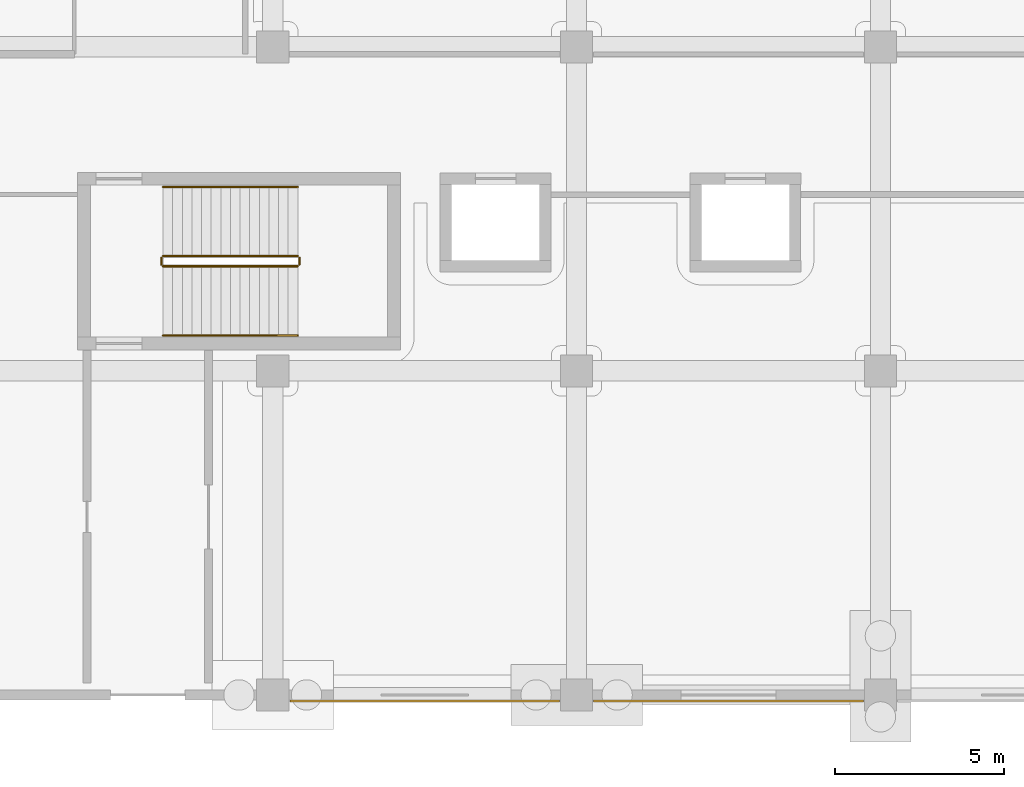
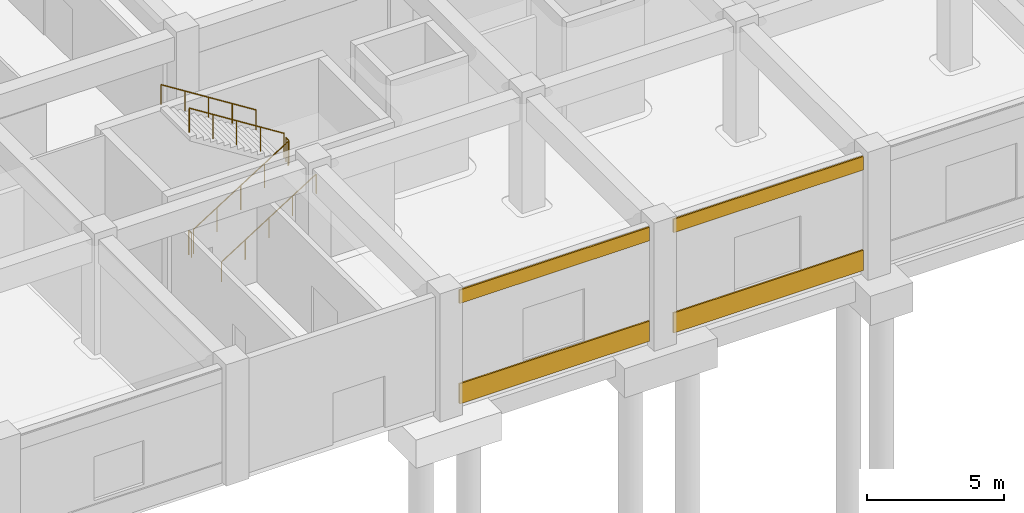
# One storey, part 57 of 74: 6 railings, 4 coverings.
"""IFC4 building model written with IfcOpenShell, lengths in metres."""

from ifc_helpers import new_model, si_unit, direction, frame, origin, origin_2d, place, context, subcontext, project, spatial, rectangle, circle, extrude, material, layer, layer_set, type_object, element, save


model = new_model("IFC4")

# Units and contexts
model_context = context("Model", 3, precision=1e-05, world=origin(), true_north=direction((0.0, 1.0)))
body_context = subcontext(model_context, "Body", "Model", "MODEL_VIEW")
ifc_project = project(units=[si_unit("LENGTHUNIT", "METRE"), si_unit("AREAUNIT", "SQUARE_METRE"), si_unit("VOLUMEUNIT", "CUBIC_METRE"), si_unit("PLANEANGLEUNIT", "RADIAN"), si_unit("MASSUNIT", "GRAM", prefix="KILO")], contexts=[model_context])

# Site, building, storey
site_placement = place(None, origin())
site = spatial("IfcSite", under=ifc_project, at=site_placement, CompositionType="ELEMENT")
building_placement = place(site_placement, origin())
building = spatial("IfcBuilding", under=site, at=building_placement, Name="Cendralis Terraced Arcade", CompositionType="ELEMENT")
storey_placement = place(building_placement, origin())
storey = spatial("IfcBuildingStorey", under=building, at=storey_placement, Name="L00", CompositionType="ELEMENT", Elevation=0.0)

# Coverings
ifc_material_1 = material(Name="Precast concrete f'c 40 MPa", Category="concrete")
ifc_layer = layer(ifc_material_1, 0.06494140625, Name="COV-CLAD-GRC-65")
ifc_layer_set = layer_set([ifc_layer], Name="Precast concrete f'c 40 MPa")
covering_type = type_object("IfcCoveringType", Name="COV-CLAD-GRC-65", PredefinedType="CLADDING", material=ifc_layer_set)
covering_1_placement = place(storey_placement, frame((89.699951171875, -0.175048828125, 0.0), z_axis=(0.0, 0.0, 1.0), x_axis=(-1.0, 0.0, 0.0)))
element("IfcCovering", 1, at=covering_1_placement, inside=storey, type_object=covering_type, Name="Banded Precast Stone Spandrel Cladding L00-005", PredefinedType="CLADDING", context=body_context, shape_type="SweptSolid", body=[
    extrude(rectangle(XDim=7.993896484375, YDim=0.06494140625, at=origin_2d()), origin(), (0.0, 0.0, 1.0), 0.89990234375),
])
covering_2_placement = place(storey_placement, frame((89.699951171875, -0.175048828125, 4.469970703125), z_axis=(0.0, 0.0, 1.0), x_axis=(-1.0, 0.0, 0.0)))
element("IfcCovering", 2, at=covering_2_placement, inside=storey, type_object=covering_type, Name="Banded Precast Stone Lintel Cladding L00-006", PredefinedType="CLADDING", context=body_context, shape_type="SweptSolid", body=[
    extrude(rectangle(XDim=7.993896484375, YDim=0.06494140625, at=origin_2d()), origin(), (0.0, 0.0, 1.0), 0.60009765625),
])
covering_3_placement = place(storey_placement, frame((80.699951171875, -0.175048828125, 0.0), z_axis=(0.0, 0.0, 1.0), x_axis=(-1.0, 0.0, 0.0)))
element("IfcCovering", 3, at=covering_3_placement, inside=storey, type_object=covering_type, Name="Banded Precast Stone Spandrel Cladding L00-007", PredefinedType="CLADDING", context=body_context, shape_type="SweptSolid", body=[
    extrude(rectangle(XDim=7.993896484375, YDim=0.06494140625, at=origin_2d()), origin(), (0.0, 0.0, 1.0), 0.89990234375),
])
covering_4_placement = place(storey_placement, frame((80.699951171875, -0.175048828125, 4.469970703125), z_axis=(0.0, 0.0, 1.0), x_axis=(-1.0, 0.0, 0.0)))
element("IfcCovering", 4, at=covering_4_placement, inside=storey, type_object=covering_type, Name="Banded Precast Stone Lintel Cladding L00-008", PredefinedType="CLADDING", context=body_context, shape_type="SweptSolid", body=[
    extrude(rectangle(XDim=7.993896484375, YDim=0.06494140625, at=origin_2d()), origin(), (0.0, 0.0, 1.0), 0.60009765625),
])

# Railings
ifc_material_2 = material(Name="Brushed stainless steel AISI 316", Category="steel")
railing_type_1 = type_object("IfcRailingType", Name="RL-STAIR-GUARD-1100", PredefinedType="GUARDRAIL", material=ifc_material_2)
railing_1_placement = place(storey_placement, frame((72.949951171875, 12.699951171875, 0.179931640625)))
element("IfcRailing", 5, at=railing_1_placement, inside=storey, type_object=railing_type_1, Name="L00 ST-08 stair guard 1", PredefinedType="GUARDRAIL", context=body_context, shape_type="SweptSolid", body=[
    extrude(circle(Radius=0.02392578125, at=origin_2d()), frame((0.0, 0.0, 1.076171875), z_axis=(0.845486444383, 0.0, 0.533996884227), x_axis=(0.0, 1.0, 0.0)), (0.0, 0.0, 1.0), 4.71923828125),
    extrude(circle(Radius=0.02099609375, at=origin_2d()), origin(), (0.0, 0.0, 1.0), 1.052001953125),
    extrude(circle(Radius=0.02099609375, at=origin_2d()), frame((0.99755859375, 0.0, 0.6298828125)), (0.0, 0.0, 1.0), 1.052001953125),
    extrude(circle(Radius=0.02099609375, at=origin_2d()), frame((1.9951171875, 0.0, 1.260009765625)), (0.0, 0.0, 1.0), 1.052001953125),
    extrude(circle(Radius=0.02099609375, at=origin_2d()), frame((2.992431640625, 0.0, 1.89013671875)), (0.0, 0.0, 1.0), 1.052001953125),
    extrude(circle(Radius=0.02099609375, at=origin_2d()), frame((3.989990234375, 0.0, 2.52001953125)), (0.0, 0.0, 1.0), 1.052001953125),
])
railing_2_placement = place(storey_placement, frame((76.989990234375, 12.75, 2.699951171875)))
element("IfcRailing", 6, at=railing_2_placement, inside=storey, type_object=railing_type_1, Name="L00 ST-08 stair guard 2", PredefinedType="GUARDRAIL", context=body_context, shape_type="SweptSolid", body=[
    extrude(circle(Radius=0.02392578125, at=origin_2d()), frame((0.0, 0.0, 1.076171875), z_axis=(0.0, 1.0, 0.0), x_axis=(-1.0, 0.0, 0.0)), (0.0, 0.0, 1.0), 0.199951171875),
    extrude(circle(Radius=0.02099609375, at=origin_2d()), origin(), (0.0, 0.0, 1.0), 1.052001953125),
    extrude(circle(Radius=0.02099609375, at=origin_2d()), frame((0.0, 0.199951171875, 0.0)), (0.0, 0.0, 1.0), 1.052001953125),
])
railing_3_placement = place(storey_placement, frame((76.93994140625, 13.0, 2.8798828125)))
element("IfcRailing", 7, at=railing_3_placement, inside=storey, type_object=railing_type_1, Name="L00 ST-08 stair guard 3", PredefinedType="GUARDRAIL", context=body_context, shape_type="SweptSolid", body=[
    extrude(circle(Radius=0.02392578125, at=origin_2d()), frame((0.0, 0.0, 1.076171875), z_axis=(-0.845486444383, 0.0, 0.533996884227), x_axis=(0.0, -1.0, 0.0)), (0.0, 0.0, 1.0), 4.71923828125),
    extrude(circle(Radius=0.02099609375, at=origin_2d()), origin(), (0.0, 0.0, 1.0), 1.052001953125),
    extrude(circle(Radius=0.02099609375, at=origin_2d()), frame((-0.99755859375, 0.0, 0.6298828125)), (0.0, 0.0, 1.0), 1.052001953125),
    extrude(circle(Radius=0.02099609375, at=origin_2d()), frame((-1.9951171875, 0.0, 1.260009765625)), (0.0, 0.0, 1.0), 1.052001953125),
    extrude(circle(Radius=0.02099609375, at=origin_2d()), frame((-2.992431640625, 0.0, 1.89013671875)), (0.0, 0.0, 1.0), 1.052001953125),
    extrude(circle(Radius=0.02099609375, at=origin_2d()), frame((-3.989990234375, 0.0, 2.52001953125)), (0.0, 0.0, 1.0), 1.052001953125),
])
railing_4_placement = place(storey_placement, frame((72.89990234375, 12.75, 0.0)))
element("IfcRailing", 8, at=railing_4_placement, inside=storey, type_object=railing_type_1, Name="L00 ST-08 stair guard 4", PredefinedType="GUARDRAIL", context=body_context, shape_type="SweptSolid", body=[
    extrude(circle(Radius=0.02392578125, at=origin_2d()), frame((0.0, 0.0, 1.076171875), z_axis=(0.0, 1.0, 0.0), x_axis=(-1.0, 0.0, 0.0)), (0.0, 0.0, 1.0), 0.199951171875),
    extrude(circle(Radius=0.02099609375, at=origin_2d()), origin(), (0.0, 0.0, 1.0), 1.052001953125),
    extrude(circle(Radius=0.02099609375, at=origin_2d()), frame((0.0, 0.199951171875, 0.0)), (0.0, 0.0, 1.0), 1.052001953125),
])
railing_type_2 = type_object("IfcRailingType", Name="RL-STAIR-HAND-900", PredefinedType="HANDRAIL", material=ifc_material_2)
railing_5_placement = place(storey_placement, frame((72.949951171875, 10.64990234375, 0.179931640625)))
element("IfcRailing", 9, at=railing_5_placement, inside=storey, type_object=railing_type_2, Name="L00 ST-08 stair handrail 1", PredefinedType="HANDRAIL", context=body_context, shape_type="SweptSolid", body=[
    extrude(circle(Radius=0.02392578125, at=origin_2d()), frame((0.0, 0.0, 0.8759765625), z_axis=(0.845486444383, 0.0, 0.533996884227), x_axis=(0.0, 1.0, 0.0)), (0.0, 0.0, 1.0), 4.71923828125),
    extrude(circle(Radius=0.02099609375, at=origin_2d()), origin(), (0.0, 0.0, 1.0), 0.851806640625),
    extrude(circle(Radius=0.02099609375, at=origin_2d()), frame((0.99755859375, 0.0, 0.6298828125)), (0.0, 0.0, 1.0), 0.851806640625),
    extrude(circle(Radius=0.02099609375, at=origin_2d()), frame((1.9951171875, 0.0, 1.260009765625)), (0.0, 0.0, 1.0), 0.851806640625),
    extrude(circle(Radius=0.02099609375, at=origin_2d()), frame((2.992431640625, 0.0, 1.89013671875)), (0.0, 0.0, 1.0), 0.851806640625),
    extrude(circle(Radius=0.02099609375, at=origin_2d()), frame((3.989990234375, 0.0, 2.52001953125)), (0.0, 0.0, 1.0), 0.851806640625),
])
railing_6_placement = place(storey_placement, frame((76.93994140625, 15.050048828125, 2.8798828125)))
element("IfcRailing", 10, at=railing_6_placement, inside=storey, type_object=railing_type_2, Name="L00 ST-08 stair handrail 2", PredefinedType="HANDRAIL", context=body_context, shape_type="SweptSolid", body=[
    extrude(circle(Radius=0.02392578125, at=origin_2d()), frame((0.0, 0.0, 0.8759765625), z_axis=(-0.845486444383, 0.0, 0.533996884227), x_axis=(0.0, -1.0, 0.0)), (0.0, 0.0, 1.0), 4.71923828125),
    extrude(circle(Radius=0.02099609375, at=origin_2d()), origin(), (0.0, 0.0, 1.0), 0.851806640625),
    extrude(circle(Radius=0.02099609375, at=origin_2d()), frame((-0.99755859375, 0.0, 0.6298828125)), (0.0, 0.0, 1.0), 0.851806640625),
    extrude(circle(Radius=0.02099609375, at=origin_2d()), frame((-1.9951171875, 0.0, 1.260009765625)), (0.0, 0.0, 1.0), 0.851806640625),
    extrude(circle(Radius=0.02099609375, at=origin_2d()), frame((-2.992431640625, 0.0, 1.89013671875)), (0.0, 0.0, 1.0), 0.851806640625),
    extrude(circle(Radius=0.02099609375, at=origin_2d()), frame((-3.989990234375, 0.0, 2.52001953125)), (0.0, 0.0, 1.0), 0.851806640625),
])

save(model, "model.ifc")
